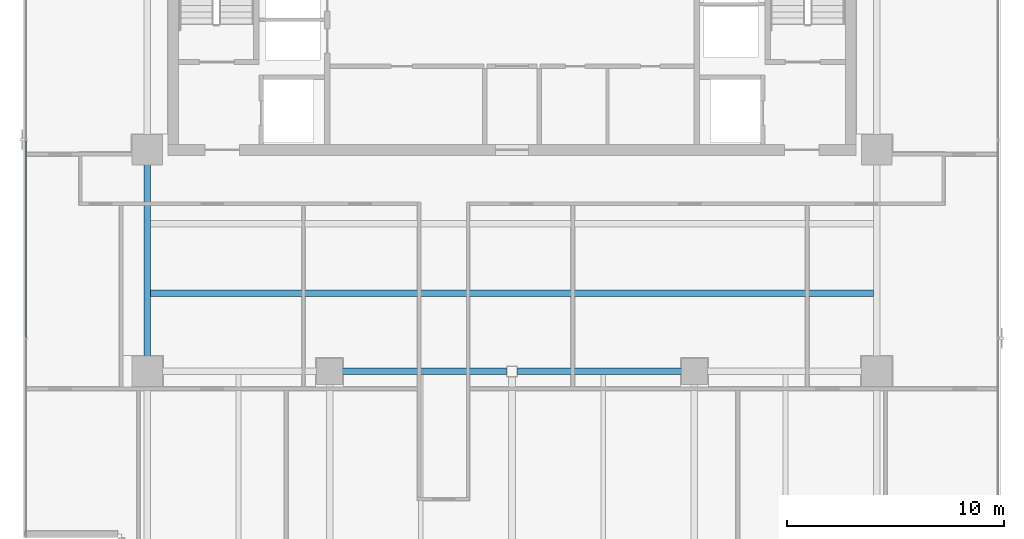
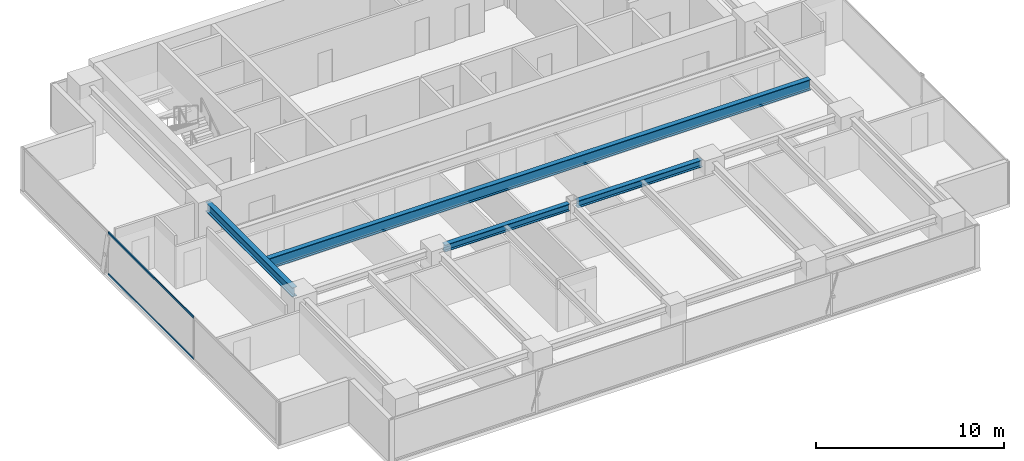
# One storey, part 8 of 26: 4 beams, 2 members, 1 element without a shape of its own.
"""IFC4 building model written with IfcOpenShell, lengths in metres."""

from ifc_helpers import new_model, si_unit, direction, frame, origin, origin_2d, place, context, subcontext, project, spatial, hollow_rectangle, i_section, extrude, source, transform, mapped, material, layer, layer_set, material_profile, profile_set, type_object, element, aggregate, save


model = new_model("IFC4")

# Units and contexts
model_context = context("Model", 3, precision=1e-05, world=origin(), true_north=direction((0.0, 1.0)))
body_context = subcontext(model_context, "Body", "Model", "MODEL_VIEW")
ifc_project = project(units=[si_unit("LENGTHUNIT", "METRE"), si_unit("AREAUNIT", "SQUARE_METRE"), si_unit("VOLUMEUNIT", "CUBIC_METRE"), si_unit("PLANEANGLEUNIT", "RADIAN"), si_unit("MASSUNIT", "GRAM", prefix="KILO")], contexts=[model_context])

# Site, building, storey
site_placement = place(None, origin())
site = spatial("IfcSite", under=ifc_project, at=site_placement, CompositionType="ELEMENT")
building_placement = place(site_placement, origin())
building = spatial("IfcBuilding", under=site, at=building_placement, Name="Sumidabori Civic Tower", CompositionType="ELEMENT")
storey_placement = place(building_placement, frame((0.0, 0.0, 243.199951171875)))
storey = spatial("IfcBuildingStorey", under=building, at=storey_placement, Name="L63", CompositionType="ELEMENT", Elevation=243.199951171875)

# Beams
ifc_material_1 = material(Name="Steel SN490", Category="steel")
ifc_material_profile_1 = material_profile(ifc_material_1, i_section(OverallWidth=0.300048828125, OverallDepth=0.60009765625, WebThickness=0.015380859375, FlangeThickness=0.030029296875, at=origin_2d()), Name="HE 600 B")
ifc_profile_set_1 = profile_set([ifc_material_profile_1], Name="Steel SN490")
beam_type_1 = type_object("IfcBeamType", Name="BM-GIRD-600", PredefinedType="BEAM", material=ifc_profile_set_1)
shared_shape_1 = source(origin(), body_context, "Body", "SweptSolid", [
    extrude(i_section(OverallWidth=0.300048828125, OverallDepth=0.60009765625, WebThickness=0.015380859375, FlangeThickness=0.030029296875, at=origin_2d()), origin(), (0.0, 0.0, 1.0), 9.239990234375),
])
beam_1_placement = place(storey_placement, frame((-16.800048828125, 0.47998046875, 3.070068359375), z_axis=(0.0, 1.0, 0.0), x_axis=(-1.0, 0.0, 0.0)))
element("IfcBeam", 1, at=beam_1_placement, inside=storey, type_object=beam_type_1, Name="Primary Girder L63 GY-10", PredefinedType="BEAM", context=body_context, shape_type="MappedRepresentation", body=[
    mapped(shared_shape_1, transform((0.0, 0.0, 0.0), x_axis=(1.0, 0.0, 0.0), y_axis=(0.0, 1.0, 0.0), z_axis=(0.0, 0.0, 1.0), scale=1.0)),
])
ifc_material_profile_2 = material_profile(ifc_material_1, i_section(OverallWidth=0.300048828125, OverallDepth=0.699951171875, WebThickness=0.01708984375, FlangeThickness=0.031982421875, at=origin_2d()), Name="HE 700 B")
ifc_profile_set_2 = profile_set([ifc_material_profile_2], Name="Steel SN490")
beam_type_2 = type_object("IfcBeamType", Name="BM-GIRD-700", PredefinedType="BEAM", material=ifc_profile_set_2)
shared_shape_2 = source(origin(), body_context, "Body", "SweptSolid", [
    extrude(i_section(OverallWidth=0.300048828125, OverallDepth=0.699951171875, WebThickness=0.01708984375, FlangeThickness=0.031982421875, at=origin_2d()), origin(), (0.0, 0.0, 1.0), 33.2998046875),
])
beam_2_placement = place(storey_placement, frame((-16.64990234375, 3.60009765625, 3.02001953125), z_axis=(1.0, 0.0, 0.0), x_axis=(0.0, 1.0, 0.0)))
element("IfcBeam", 2, at=beam_2_placement, inside=storey, type_object=beam_type_2, Name="North Bay Floor Beam L63 JSTN-18", PredefinedType="BEAM", context=body_context, shape_type="MappedRepresentation", body=[
    mapped(shared_shape_2, transform((0.0, 0.0, 0.0), x_axis=(1.0, 0.0, 0.0), y_axis=(0.0, 1.0, 0.0), z_axis=(0.0, 0.0, 1.0), scale=1.0)),
])
ifc_material_profile_3 = material_profile(ifc_material_1, i_section(OverallWidth=0.300048828125, OverallDepth=0.449951171875, WebThickness=0.013916015625, FlangeThickness=0.02587890625, at=origin_2d()), Name="HE 450 B")
ifc_profile_set_3 = profile_set([ifc_material_profile_3], Name="Steel SN490")
beam_type_3 = type_object("IfcBeamType", Name="BM-GIRD-450", PredefinedType="BEAM", material=ifc_profile_set_3)
shared_shape_3 = source(origin(), body_context, "Body", "SweptSolid", [
    extrude(i_section(OverallWidth=0.300048828125, OverallDepth=0.449951171875, WebThickness=0.013916015625, FlangeThickness=0.02587890625, at=origin_2d()), origin(), (0.0, 0.0, 1.0), 7.669921875),
])
for number, where, z_axis, x_axis, name in (
    (3, (-7.919921875, 0.0, 3.14501953125), (1.0, 0.0, 0.0), (0.0, 1.0, 0.0), "Primary Girder L63 GX-06"),
    (4, (0.25, 0.0, 3.14501953125), (1.0, 0.0, 0.0), (0.0, 1.0, 0.0), "Primary Girder L63 GX-07"),
):
    element("IfcBeam", number, at=place(storey_placement, frame(where, z_axis=z_axis, x_axis=x_axis)), inside=storey, type_object=beam_type_3, Name=name, PredefinedType="BEAM", context=body_context, shape_type="MappedRepresentation", body=[
        mapped(shared_shape_3, transform((0.0, 0.0, 0.0), x_axis=(1.0, 0.0, 0.0), y_axis=(0.0, 1.0, 0.0), z_axis=(0.0, 0.0, 1.0), scale=1.0)),
    ])

# Curtain wall, members
ifc_material_2 = material(Name="Anodised Bronze Aluminium AW-6063-T6", Category="aluminium")
ifc_layer = layer(ifc_material_2, 0.179931640625, Name="Anodised Bronze Aluminium AW-6063-T6")
ifc_layer_set = layer_set([ifc_layer], Name="Anodised Bronze Aluminium AW-6063-T6")
curtain_wall_type = type_object("IfcCurtainWallType", Name="CW-SYS-5", PredefinedType="NOTDEFINED", material=ifc_layer_set)
curtain_wall_placement = place(storey_placement, origin())
curtain_wall = element("IfcCurtainWall", 5, at=curtain_wall_placement, inside=storey, type_object=curtain_wall_type, Name="Curtain Wall CW:L63:R10", PredefinedType="NOTDEFINED")
ifc_material_profile_4 = material_profile(ifc_material_2, hollow_rectangle(XDim=0.06005859375, YDim=0.1298828125, WallThickness=0.0048828125, at=origin_2d()), Name="ALU TRANSOM 130x60")
ifc_profile_set_4 = profile_set([ifc_material_profile_4], Name="Anodised Bronze Aluminium AW-6063-T6")
member_type = type_object("IfcMemberType", Name="CW-TRN-130", PredefinedType="USERDEFINED", material=ifc_profile_set_4)
shared_shape_4 = source(origin(), body_context, "Body", "SweptSolid", [
    extrude(hollow_rectangle(XDim=0.06005859375, YDim=0.1298828125, WallThickness=0.0048828125, at=origin_2d()), origin(), (0.0, 0.0, 1.0), 9.086669921875),
])
member_1_placement = place(storey_placement, frame((-22.3798828125, 10.643310546875, 0.030029296875), z_axis=(0.0, -1.0, 0.0), x_axis=(1.0, 0.0, 0.0)))
member_1 = element("IfcMember", 6, at=member_1_placement, type_object=member_type, Name="CW-5 transom 2.1", ObjectType="TRANSOM", PredefinedType="USERDEFINED", context=body_context, shape_type="MappedRepresentation", body=[
    mapped(shared_shape_4, transform((0.0, 0.0, 0.0), x_axis=(1.0, 0.0, 0.0), y_axis=(0.0, 1.0, 0.0), z_axis=(0.0, 0.0, 1.0), scale=1.0)),
])
member_2_placement = place(storey_placement, frame((-22.3798828125, 10.643310546875, 2.719970703125), z_axis=(0.0, -1.0, 0.0), x_axis=(1.0, 0.0, 0.0)))
member_2 = element("IfcMember", 7, at=member_2_placement, type_object=member_type, Name="CW-5 transom 2.2", ObjectType="TRANSOM", PredefinedType="USERDEFINED", context=body_context, shape_type="MappedRepresentation", body=[
    mapped(shared_shape_4, transform((0.0, 0.0, 0.0), x_axis=(1.0, 0.0, 0.0), y_axis=(0.0, 1.0, 0.0), z_axis=(0.0, 0.0, 1.0), scale=1.0)),
])
aggregate(curtain_wall, [member_1, member_2])

save(model, "model.ifc")
